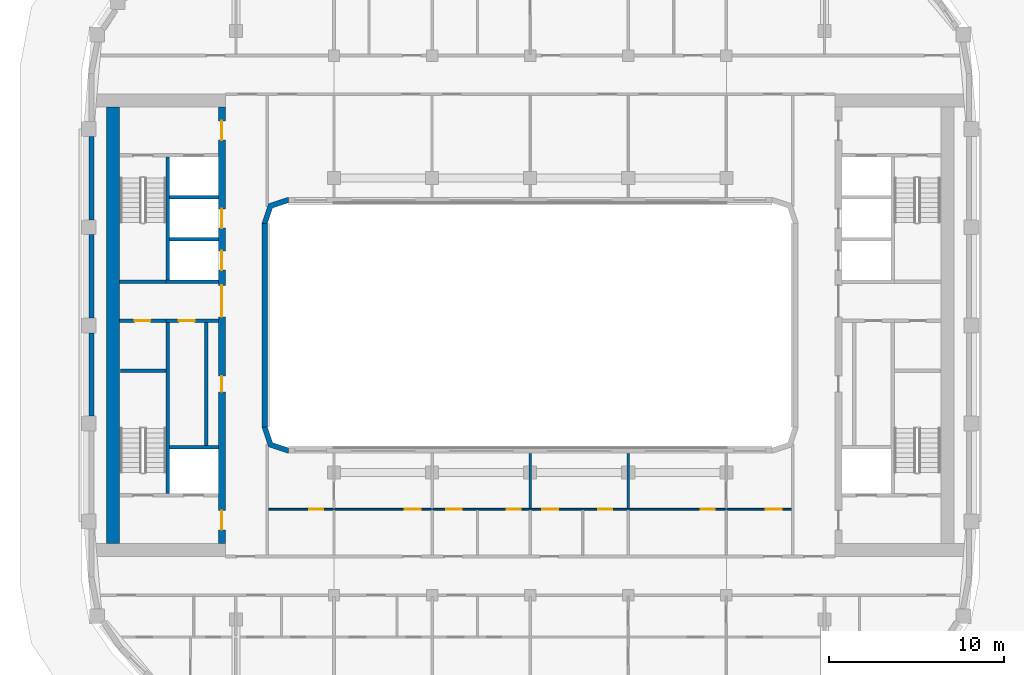
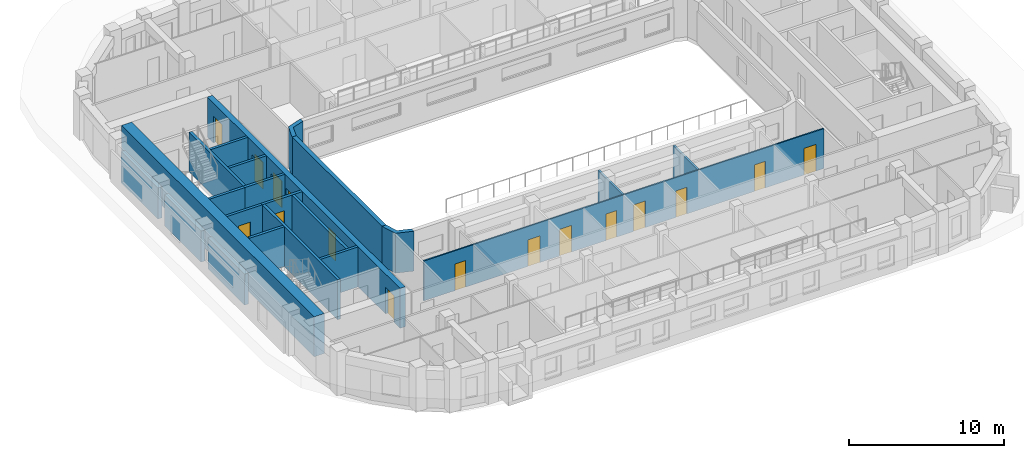
# One storey, part 4 of 16: 22 walls, 16 doors, 16 openings.
"""IFC4 building model written with IfcOpenShell, lengths in metres."""

import ifcopenshell
import ifcopenshell.guid

model = None  # the IFC model being written
_history = None  # IfcOwnerHistory: only IFC2X3 demands one
_inside = {}  # id of a spatial element -> (the spatial element, [elements in it])
_under = {}  # id of a project, library or spatial element -> (it, [spatial elements below it])
_declared = {}  # id of a project -> (the project, [libraries it declares])
_typed = {}  # id of a type object -> (the type object, [elements of that type])
_made_of = {}  # id of a material, layer set ... -> (it, [elements and type objects made of it])


def new_model(schema):
    """Start an empty IFC model of exactly this schema.

    Asked for "IFC4X3", IfcOpenShell would pick the latest addendum, in which some entities
    have other attributes; the version numbers below select the first issue.
    IFC2X3 requires an IfcOwnerHistory on every rooted entity: one is made here for all.
    """
    global model, _history
    if schema == "IFC4X3":
        model = ifcopenshell.file(schema_version=(4, 3, 0, 0))
    else:
        model = ifcopenshell.file(schema=schema)
    _inside.clear()
    _under.clear()
    _declared.clear()
    _typed.clear()
    _made_of.clear()
    _history = None
    if model.schema == "IFC2X3":
        org = make("IfcOrganization", Name="unknown")
        user = make(
            "IfcPersonAndOrganization",
            ThePerson=make("IfcPerson", FamilyName="unknown"),
            TheOrganization=org,
        )
        app = make(
            "IfcApplication",
            ApplicationDeveloper=org,
            Version="unknown",
            ApplicationFullName="unknown",
            ApplicationIdentifier="unknown",
        )
        _history = make(
            "IfcOwnerHistory",
            OwningUser=user,
            OwningApplication=app,
            ChangeAction="ADDED",
            CreationDate=0,
        )
    return model


def make(cls, **values):
    """One entity of the class cls with the attributes given. An attribute that is None is left unset."""
    return model.create_entity(
        cls, **{name: value for name, value in values.items() if value is not None}
    )


def rooted(cls, **values):
    """An entity with a GlobalId (a new one), such as an element, a storey or a relation."""
    return make(cls, GlobalId=ifcopenshell.guid.new(), OwnerHistory=_history, **values)


def si_unit(unit_type, name, prefix=None):
    """IfcSIUnit, for example si_unit("LENGTHUNIT", "METRE", prefix="MILLI")."""
    return make("IfcSIUnit", UnitType=unit_type, Prefix=prefix, Name=name)


def assignment(units):
    """IfcUnitAssignment: the units of a project."""
    return None if units is None else make("IfcUnitAssignment", Units=units)


def point(xyz):
    """IfcCartesianPoint."""
    return None if xyz is None else make("IfcCartesianPoint", Coordinates=xyz)


def direction(xyz):
    """IfcDirection."""
    return None if xyz is None else make("IfcDirection", DirectionRatios=xyz)


def frame(location, z_axis=None, x_axis=None):
    """IfcAxis2Placement3D, a coordinate frame: its origin and axes. An axis left out is left unset."""
    return make(
        "IfcAxis2Placement3D",
        Location=point(location),
        Axis=direction(z_axis),
        RefDirection=direction(x_axis),
    )


def frame_2d(location, x_axis=None):
    """IfcAxis2Placement2D, a coordinate frame in the plane: its origin and x axis."""
    return make(
        "IfcAxis2Placement2D", Location=point(location), RefDirection=direction(x_axis)
    )


def origin():
    """The frame at (0, 0, 0) with its axes left unset."""
    return frame((0.0, 0.0, 0.0))


def place(relative_to, where):
    """IfcLocalPlacement: puts the frame where relative to a parent placement (None: the world)."""
    return make(
        "IfcLocalPlacement", PlacementRelTo=relative_to, RelativePlacement=where
    )


def context(
    kind, dimensions, precision=None, world=None, true_north=None, identifier=None
):
    """IfcGeometricRepresentationContext, for example the 3D "Model" context."""
    return make(
        "IfcGeometricRepresentationContext",
        ContextIdentifier=identifier,
        ContextType=kind,
        CoordinateSpaceDimension=dimensions,
        Precision=precision,
        WorldCoordinateSystem=world,
        TrueNorth=true_north,
    )


def subcontext(parent, identifier, kind, view, scale=None):
    """IfcGeometricRepresentationSubContext, for example "Body" below "Model"."""
    return make(
        "IfcGeometricRepresentationSubContext",
        ContextIdentifier=identifier,
        ContextType=kind,
        ParentContext=parent,
        TargetScale=scale,
        TargetView=view,
    )


def project(units=None, contexts=None):
    """IfcProject with its units and contexts."""
    return rooted(
        "IfcProject",
        Name="project",
        RepresentationContexts=contexts,
        UnitsInContext=assignment(units),
    )


def spatial(cls, under=None, at=None, **own):
    """A site, building, storey or space (cls), placed at a placement, below another one or the project."""
    s = rooted(cls, ObjectPlacement=at, **own)
    if under is not None:
        _under.setdefault(under.id(), (under, []))[1].append(s)
    return s


def polyline(points):
    """IfcPolyline through the points."""
    return make("IfcPolyline", Points=[point(p) for p in points])


def profile(cls, at=None, kind="AREA", **sizes):
    """A parametric profile (cls). Its sizes go by their IFC names, for example OverallWidth=200.0."""
    return make(cls, ProfileType=kind, Position=at, **sizes)


def rectangle(**sizes):
    """IfcRectangleProfileDef."""
    return profile("IfcRectangleProfileDef", **sizes)


def outline(outer, holes=None, kind="AREA"):
    """IfcArbitraryClosedProfileDef: a profile drawn as a closed curve; with holes, ...WithVoids."""
    if holes is None:
        return make("IfcArbitraryClosedProfileDef", ProfileType=kind, OuterCurve=outer)
    return make(
        "IfcArbitraryProfileDefWithVoids",
        ProfileType=kind,
        OuterCurve=outer,
        InnerCurves=holes,
    )


def extrude(swept, where, along, depth):
    """IfcExtrudedAreaSolid: the profile swept, set in the frame where, extruded along a direction by depth."""
    return make(
        "IfcExtrudedAreaSolid",
        SweptArea=swept,
        Position=where,
        ExtrudedDirection=direction(along),
        Depth=depth,
    )


def shape(context_of_items, identifier, shape_type, items):
    """IfcShapeRepresentation: the items that make up one representation, for example the "Body"."""
    return make(
        "IfcShapeRepresentation",
        ContextOfItems=context_of_items,
        RepresentationIdentifier=identifier,
        RepresentationType=shape_type,
        Items=items,
    )


def material(Name=None, Category=None):
    """IfcMaterial."""
    return make("IfcMaterial", Name=Name, Category=Category)


def layer(
    of_material, thickness, ventilated=None, Name=None, Category=None, Priority=None
):
    """IfcMaterialLayer: one layer of a wall or slab, of a material (None: an air gap)."""
    return make(
        "IfcMaterialLayer",
        Material=of_material,
        LayerThickness=thickness,
        IsVentilated=ventilated,
        Name=Name,
        Category=Category,
        Priority=Priority,
    )


def layer_set(layers, Name=None):
    """IfcMaterialLayerSet."""
    return make("IfcMaterialLayerSet", MaterialLayers=layers, LayerSetName=Name)


def made_of(thing, what):
    """Note that an element or type object is made of a material, layer set ...; save() writes the relation."""
    if what is not None:
        _made_of.setdefault(what.id(), (what, []))[1].append(thing)
    return thing


def type_object(cls, material=None, **own):
    """A type object (cls), such as IfcWallType, which elements share."""
    return made_of(rooted(cls, **own), material)


def element(
    cls,
    number,
    at=None,
    inside=None,
    cuts=None,
    type_object=None,
    material=None,
    context=None,
    identifier="Body",
    shape_type=None,
    held_by="IfcProductDefinitionShape",
    body=None,
    shapes=None,
    **own,
):
    """One element of the class cls, such as IfcWall. Its Tag is "e" and its number.

    at: its placement. inside: the storey or other place that contains it. cuts: it is an
    opening in that element (IfcRelVoidsElement). A single representation is given by context,
    identifier, shape_type and body (its items); several are given by shapes. held_by: the class
    of the entity that holds the representations. save() writes the other relations.
    """
    e = rooted(cls, Tag="e%d" % number, ObjectPlacement=at, **own)
    if body is not None:
        shapes = [shape(context, identifier, shape_type, body)]
    if shapes is not None:
        e.Representation = make(held_by, Representations=shapes)
    if inside is not None:
        _inside.setdefault(inside.id(), (inside, []))[1].append(e)
    if cuts is not None:
        rooted(
            "IfcRelVoidsElement", RelatingBuildingElement=cuts, RelatedOpeningElement=e
        )
    if type_object is not None:
        _typed.setdefault(type_object.id(), (type_object, []))[1].append(e)
    return made_of(e, material)


def fill(opening, filler):
    """IfcRelFillsElement: the door or window that sits in an opening."""
    return rooted(
        "IfcRelFillsElement",
        RelatingOpeningElement=opening,
        RelatedBuildingElement=filler,
    )


def aggregate(whole, parts):
    """IfcRelAggregates: a whole, such as a stair, and the parts it consists of."""
    return rooted("IfcRelAggregates", RelatingObject=whole, RelatedObjects=parts)


def save(model, path):
    """Write the relations noted so far, then the file.

    IfcRelAggregates (storeys below a building ...), IfcRelContainedInSpatialStructure (elements
    in a storey), IfcRelDefinesByType, IfcRelAssociatesMaterial and IfcRelDeclares: one each for
    every whole, place, type object, material and project.
    """
    for whole, parts in _under.values():
        aggregate(whole, parts)
    for where, things in _inside.values():
        rooted(
            "IfcRelContainedInSpatialStructure",
            RelatedElements=things,
            RelatingStructure=where,
        )
    for kind, things in _typed.values():
        rooted("IfcRelDefinesByType", RelatedObjects=things, RelatingType=kind)
    for what, things in _made_of.values():
        rooted("IfcRelAssociatesMaterial", RelatedObjects=things, RelatingMaterial=what)
    for by, libraries in _declared.values():
        rooted("IfcRelDeclares", RelatingContext=by, RelatedDefinitions=libraries)
    model.write(path)


model = new_model("IFC4")

# Units and contexts
model_context = context("Model", 3, precision=1e-05, world=origin(), true_north=direction((0.0, 1.0)))
body_context = subcontext(model_context, "Body", "Model", "MODEL_VIEW")
ifc_project = project(units=[si_unit("LENGTHUNIT", "METRE"), si_unit("AREAUNIT", "SQUARE_METRE"), si_unit("VOLUMEUNIT", "CUBIC_METRE"), si_unit("PLANEANGLEUNIT", "RADIAN"), si_unit("MASSUNIT", "GRAM", prefix="KILO")], contexts=[model_context])

# Site, building, storey
site_placement = place(None, origin())
site = spatial("IfcSite", under=ifc_project, at=site_placement, CompositionType="ELEMENT")
building_placement = place(site_placement, origin())
building = spatial("IfcBuilding", under=site, at=building_placement, Name="Kiln Ring Residences", CompositionType="ELEMENT")
storey_placement = place(building_placement, frame((0.0, 0.0, 227.39990234375)))
storey = spatial("IfcBuildingStorey", under=building, at=storey_placement, Name="L59", CompositionType="ELEMENT", Elevation=227.39990234375)

# Wall, opening, door
ifc_material_1 = material(Name="Gypsum board on steel studs", Category="steel")
ifc_layer_1 = layer(ifc_material_1, 0.199951171875)
ifc_layer_set_1 = layer_set([ifc_layer_1], Name="CORE-PARTITION-200")
wall_type_1 = type_object("IfcWallType", Name="CORE-PARTITION-200", PredefinedType="PARTITIONING", material=ifc_layer_set_1)
wall_1_placement = place(storey_placement, frame((-20.800048828125, 0.25, 0.0), z_axis=(0.0, 0.0, 1.0), x_axis=(-1.0, 0.0, 0.0)))
wall_1 = element("IfcWall", 1, at=wall_1_placement, inside=storey, type_object=wall_type_1, Name="Core partition west L59 1", PredefinedType="PARTITIONING", context=body_context, shape_type="SweptSolid", body=[
    extrude(rectangle(XDim=2.64990234375, YDim=0.199951171875, at=frame_2d((1.324951171875, 0.0))), origin(), (0.0, 0.0, 1.0), 3.150146484375),
])
opening_1_placement = place(wall_1_placement, frame((0.875, 0.0, 0.0)))
opening_1 = element("IfcOpeningElement", 2, at=opening_1_placement, cuts=wall_1, Name="Opening L59-CW12", PredefinedType="OPENING", context=body_context, shape_type="SweptSolid", body=[
    extrude(rectangle(XDim=0.89990234375, YDim=2.10009765625, at=frame_2d((0.449951171875, 1.050048828125))), frame((0.0, 0.10986328125, 0.0), z_axis=(0.0, -1.0, 0.0), x_axis=(1.0, 0.0, 0.0)), (0.0, 0.0, 1.0), 0.219970703125),
])
ifc_material_2 = material(Name="Steel door leaf", Category="steel")
door_type_1 = type_object("IfcDoorType", Name="CORE-DOOR-ROOM", OperationType="SINGLE_SWING_LEFT", PredefinedType="DOOR", material=ifc_material_2)
door_1_placement = place(opening_1_placement, origin())
door_1 = element("IfcDoor", 3, at=door_1_placement, inside=storey, type_object=door_type_1, Name="Housekeeping store L59-CW12", OperationType="SINGLE_SWING_RIGHT", OverallHeight=2.10009765625, OverallWidth=0.89990234375, PredefinedType="DOOR", context=body_context, shape_type="SweptSolid", body=[
    extrude(rectangle(XDim=0.89990234375, YDim=2.10009765625, at=frame_2d((0.449951171875, 1.050048828125))), frame((0.0, 0.02490234375, 0.0), z_axis=(0.0, -1.0, 0.0), x_axis=(1.0, 0.0, 0.0)), (0.0, 0.0, 1.0), 0.050048828125),
])
fill(opening_1, door_1)

# Walls
wall_2_placement = place(storey_placement, frame((-18.5, -6.85009765625, 0.0), z_axis=(0.0, 0.0, 1.0), x_axis=(0.0, 1.0, 0.0)))
element("IfcWall", 4, at=wall_2_placement, inside=storey, type_object=wall_type_1, Name="Core partition west L59 2", PredefinedType="PARTITIONING", context=body_context, shape_type="SweptSolid", body=[
    extrude(rectangle(XDim=7.0, YDim=0.199951171875, at=frame_2d((3.5, 0.0))), origin(), (0.0, 0.0, 1.0), 3.150146484375),
])
ifc_material_3 = material(Name="Gypsum shaft wall system")
ifc_layer_2 = layer(ifc_material_3, 0.199951171875)
ifc_layer_set_2 = layer_set([ifc_layer_2], Name="CORE-SHAFT-WALL-200")
wall_type_2 = type_object("IfcWallType", Name="CORE-SHAFT-WALL-200", PredefinedType="PARTITIONING", material=ifc_layer_set_2)
wall_3_placement = place(storey_placement, frame((-17.800048828125, -6.949951171875, 0.0), z_axis=(0.0, 0.0, 1.0), x_axis=(-1.0, 0.0, 0.0)))
element("IfcWall", 5, at=wall_3_placement, inside=storey, type_object=wall_type_2, Name="Core partition west L59 3", PredefinedType="PARTITIONING", context=body_context, shape_type="SweptSolid", body=[
    extrude(rectangle(XDim=2.800048828125, YDim=0.199951171875, at=frame_2d((1.39990234375, 0.0))), origin(), (0.0, 0.0, 1.0), 3.150146484375),
])

# Wall, opening, door
wall_4_placement = place(storey_placement, frame((-17.800048828125, 0.25, 0.0), z_axis=(0.0, 0.0, 1.0), x_axis=(-1.0, 0.0, 0.0)))
wall_4 = element("IfcWall", 6, at=wall_4_placement, inside=storey, type_object=wall_type_2, Name="Core partition west L59 4", PredefinedType="PARTITIONING", context=body_context, shape_type="SweptSolid", body=[
    extrude(rectangle(XDim=3.0, YDim=0.199951171875, at=frame_2d((1.5, 0.0))), origin(), (0.0, 0.0, 1.0), 3.150146484375),
])
opening_2_placement = place(wall_4_placement, frame((1.35009765625, 0.0, 0.0)))
opening_2 = element("IfcOpeningElement", 7, at=opening_2_placement, cuts=wall_4, Name="Opening L59-CW03", PredefinedType="OPENING", context=body_context, shape_type="SweptSolid", body=[
    extrude(rectangle(XDim=0.89990234375, YDim=2.10009765625, at=frame_2d((0.449951171875, 1.050048828125))), frame((0.0, 0.10986328125, 0.0), z_axis=(0.0, -1.0, 0.0), x_axis=(1.0, 0.0, 0.0)), (0.0, 0.0, 1.0), 0.219970703125),
])
door_2_placement = place(opening_2_placement, origin())
door_2 = element("IfcDoor", 8, at=door_2_placement, inside=storey, type_object=door_type_1, Name="Goods store L59-CW03", OperationType="SINGLE_SWING_LEFT", OverallHeight=2.10009765625, OverallWidth=0.89990234375, PredefinedType="DOOR", context=body_context, shape_type="SweptSolid", body=[
    extrude(rectangle(XDim=0.89990234375, YDim=2.10009765625, at=frame_2d((0.449951171875, 1.050048828125))), frame((0.0, 0.02490234375, 0.0), z_axis=(0.0, -1.0, 0.0), x_axis=(1.0, 0.0, 0.0)), (0.0, 0.0, 1.0), 0.050048828125),
])
fill(opening_2, door_2)

# Walls
wall_5_placement = place(storey_placement, frame((-17.800048828125, 2.5, 0.0), z_axis=(0.0, 0.0, 1.0), x_axis=(-1.0, 0.0, 0.0)))
element("IfcWall", 9, at=wall_5_placement, inside=storey, type_object=wall_type_2, Name="Core partition west L59 5", PredefinedType="PARTITIONING", context=body_context, shape_type="SweptSolid", body=[
    extrude(rectangle(XDim=3.0, YDim=0.199951171875, at=frame_2d((1.5, 0.0))), origin(), (0.0, 0.0, 1.0), 3.150146484375),
])
for number, where, z_axis, x_axis, name in (
    (10, (-17.800048828125, 4.89990234375, 0.0), (0.0, 0.0, 1.0), (-1.0, 0.0, 0.0), "Core partition west L59 6"),
    (11, (-17.800048828125, 7.300048828125, 0.0), (0.0, 0.0, 1.0), (-1.0, 0.0, 0.0), "Core partition west L59 7"),
):
    element("IfcWall", number, at=place(storey_placement, frame(where, z_axis=z_axis, x_axis=x_axis)), inside=storey, type_object=wall_type_2, Name=name, PredefinedType="PARTITIONING", context=body_context, shape_type="SweptSolid", body=[
        extrude(rectangle(XDim=2.800048828125, YDim=0.199951171875, at=frame_2d((1.39990234375, 0.0))), origin(), (0.0, 0.0, 1.0), 3.150146484375),
    ])
ifc_material_4 = material(Name="Concrete C40/50", Category="concrete")
ifc_layer_3 = layer(ifc_material_4, 0.199951171875)
ifc_layer_set_3 = layer_set([ifc_layer_3], Name="CORE-WALL-RC200")
wall_type_3 = type_object("IfcWallType", Name="CORE-WALL-RC200", PredefinedType="SHEAR", material=ifc_layer_set_3)
wall_6_placement = place(storey_placement, frame((-20.699951171875, 2.60009765625, 0.0), z_axis=(0.0, 0.0, 1.0), x_axis=(0.0, 1.0, 0.0)))
element("IfcWall", 12, at=wall_6_placement, inside=storey, type_object=wall_type_3, Name="Core wall west L59 1", PredefinedType="SHEAR", context=body_context, shape_type="SweptSolid", body=[
    extrude(rectangle(XDim=7.0, YDim=0.199951171875, at=frame_2d((3.5, 0.0))), origin(), (0.0, 0.0, 1.0), 3.150146484375),
])
wall_7_placement = place(storey_placement, frame((-20.699951171875, -9.60009765625, 0.0), z_axis=(0.0, 0.0, 1.0), x_axis=(0.0, 1.0, 0.0)))
element("IfcWall", 13, at=wall_7_placement, inside=storey, type_object=wall_type_3, Name="Core wall west L59 2", PredefinedType="SHEAR", context=body_context, shape_type="SweptSolid", body=[
    extrude(rectangle(XDim=9.75, YDim=0.199951171875, at=frame_2d((4.875, 0.0))), origin(), (0.0, 0.0, 1.0), 3.150146484375),
])
wall_8_placement = place(storey_placement, frame((-20.800048828125, 2.5, 0.0), z_axis=(0.0, 0.0, 1.0), x_axis=(-1.0, 0.0, 0.0)))
element("IfcWall", 14, at=wall_8_placement, inside=storey, type_object=wall_type_3, Name="Core wall west L59 3", PredefinedType="SHEAR", context=body_context, shape_type="SweptSolid", body=[
    extrude(rectangle(XDim=2.64990234375, YDim=0.199951171875, at=frame_2d((1.324951171875, 0.0))), origin(), (0.0, 0.0, 1.0), 3.150146484375),
])
wall_9_placement = place(storey_placement, frame((-20.800048828125, -2.60009765625, 0.0), z_axis=(0.0, 0.0, 1.0), x_axis=(-1.0, 0.0, 0.0)))
element("IfcWall", 15, at=wall_9_placement, inside=storey, type_object=wall_type_3, Name="Core wall west L59 10", PredefinedType="SHEAR", context=body_context, shape_type="SweptSolid", body=[
    extrude(rectangle(XDim=2.599853515625, YDim=0.199951171875, at=frame_2d((1.2998046875, 0.0))), origin(), (0.0, 0.0, 1.0), 3.150146484375),
])

# Wall, openings, doors
ifc_material_5 = material(Name="Concrete C60/75", Category="concrete")
ifc_layer_4 = layer(ifc_material_5, 0.39990234375)
ifc_layer_set_4 = layer_set([ifc_layer_4], Name="CORE-WALL-RC400")
wall_type_4 = type_object("IfcWallType", Name="CORE-WALL-RC400", PredefinedType="SHEAR", material=ifc_layer_set_4)
wall_10_placement = place(storey_placement, frame((-17.60009765625, -12.449951171875, 0.0), z_axis=(0.0, 0.0, 1.0), x_axis=(0.0, 1.0, 0.0)))
wall_10 = element("IfcWall", 16, at=wall_10_placement, inside=storey, type_object=wall_type_4, Name="Core wall west L59 6", PredefinedType="SHEAR", context=body_context, shape_type="SweptSolid", body=[
    extrude(rectangle(XDim=24.89990234375, YDim=0.39990234375, at=frame_2d((12.449951171875, 0.0))), origin(), (0.0, 0.0, 1.0), 3.150146484375),
])
opening_3_placement = place(wall_10_placement, frame((8.64990234375, 0.0, 0.0)))
opening_3 = element("IfcOpeningElement", 17, at=opening_3_placement, cuts=wall_10, Name="Opening L59-CW02", PredefinedType="OPENING", context=body_context, shape_type="SweptSolid", body=[
    extrude(rectangle(XDim=0.89990234375, YDim=2.10009765625, at=frame_2d((0.449951171875, 1.050048828125))), frame((0.0, 0.2099609375, 0.0), z_axis=(0.0, -1.0, 0.0), x_axis=(1.0, 0.0, 0.0)), (0.0, 0.0, 1.0), 0.419921875),
])
opening_4_placement = place(wall_10_placement, frame((15.60009765625, 0.0, 0.0)))
opening_4 = element("IfcOpeningElement", 18, at=opening_4_placement, cuts=wall_10, Name="Opening L59-CW04", PredefinedType="OPENING", context=body_context, shape_type="SweptSolid", body=[
    extrude(rectangle(XDim=1.10009765625, YDim=2.10009765625, at=frame_2d((0.550048828125, 1.050048828125))), frame((0.0, 0.2099609375, 0.0), z_axis=(0.0, -1.0, 0.0), x_axis=(1.0, 0.0, 0.0)), (0.0, 0.0, 1.0), 0.419921875),
])
opening_5_placement = place(wall_10_placement, frame((18.0, 0.0, 0.0)))
opening_5 = element("IfcOpeningElement", 19, at=opening_5_placement, cuts=wall_10, Name="Opening L59-CW05", PredefinedType="OPENING", context=body_context, shape_type="SweptSolid", body=[
    extrude(rectangle(XDim=1.10009765625, YDim=2.10009765625, at=frame_2d((0.550048828125, 1.050048828125))), frame((0.0, 0.2099609375, 0.0), z_axis=(0.0, -1.0, 0.0), x_axis=(1.0, 0.0, 0.0)), (0.0, 0.0, 1.0), 0.419921875),
])
opening_6_placement = place(wall_10_placement, frame((23.02490234375, 0.0, 0.0)))
opening_6 = element("IfcOpeningElement", 20, at=opening_6_placement, cuts=wall_10, Name="Opening L59-CW07", PredefinedType="OPENING", context=body_context, shape_type="SweptSolid", body=[
    extrude(rectangle(XDim=1.10009765625, YDim=2.10009765625, at=frame_2d((0.550048828125, 1.050048828125))), frame((0.0, 0.2099609375, 0.0), z_axis=(0.0, -1.0, 0.0), x_axis=(1.0, 0.0, 0.0)), (0.0, 0.0, 1.0), 0.419921875),
])
opening_7_placement = place(wall_10_placement, frame((0.77490234375, 0.0, 0.0)))
opening_7 = element("IfcOpeningElement", 21, at=opening_7_placement, cuts=wall_10, Name="Opening L59-CW08", PredefinedType="OPENING", context=body_context, shape_type="SweptSolid", body=[
    extrude(rectangle(XDim=1.10009765625, YDim=2.10009765625, at=frame_2d((0.550048828125, 1.050048828125))), frame((0.0, 0.2099609375, 0.0), z_axis=(0.0, -1.0, 0.0), x_axis=(1.0, 0.0, 0.0)), (0.0, 0.0, 1.0), 0.419921875),
])
opening_8_placement = place(wall_10_placement, frame((12.925048828125, 0.0, 0.0)))
opening_8 = element("IfcOpeningElement", 22, at=opening_8_placement, cuts=wall_10, Name="Opening L59-CW11", PredefinedType="OPENING", context=body_context, shape_type="SweptSolid", body=[
    extrude(rectangle(XDim=1.800048828125, YDim=2.10009765625, at=frame_2d((0.89990234375, 1.050048828125))), frame((0.0, 0.2099609375, 0.0), z_axis=(0.0, -1.0, 0.0), x_axis=(1.0, 0.0, 0.0)), (0.0, 0.0, 1.0), 0.419921875),
])
ifc_material_6 = material(Name="Steel door leaf", Category="steel")
door_type_2 = type_object("IfcDoorType", Name="CORE-DOOR-LD", OperationType="DOUBLE_DOOR_SLIDING", PredefinedType="DOOR", material=ifc_material_6)
door_3_placement = place(opening_4_placement, origin())
door_3 = element("IfcDoor", 23, at=door_3_placement, inside=storey, type_object=door_type_2, Name="LD W-M1 L59-CW04", OperationType="DOUBLE_DOOR_SLIDING", OverallHeight=2.10009765625, OverallWidth=1.10009765625, PredefinedType="DOOR", context=body_context, shape_type="SweptSolid", body=[
    extrude(rectangle(XDim=1.10009765625, YDim=2.10009765625, at=frame_2d((0.550048828125, 1.050048828125))), frame((0.0, 0.02490234375, 0.0), z_axis=(0.0, -1.0, 0.0), x_axis=(1.0, 0.0, 0.0)), (0.0, 0.0, 1.0), 0.050048828125),
])
fill(opening_4, door_3)
door_4_placement = place(opening_5_placement, origin())
door_4 = element("IfcDoor", 24, at=door_4_placement, inside=storey, type_object=door_type_2, Name="LD W-M2 L59-CW05", OperationType="DOUBLE_DOOR_SLIDING", OverallHeight=2.10009765625, OverallWidth=1.10009765625, PredefinedType="DOOR", context=body_context, shape_type="SweptSolid", body=[
    extrude(rectangle(XDim=1.10009765625, YDim=2.10009765625, at=frame_2d((0.550048828125, 1.050048828125))), frame((0.0, 0.02490234375, 0.0), z_axis=(0.0, -1.0, 0.0), x_axis=(1.0, 0.0, 0.0)), (0.0, 0.0, 1.0), 0.050048828125),
])
fill(opening_5, door_4)
ifc_material_7 = material(Name="Steel door leaf", Category="steel")
door_type_3 = type_object("IfcDoorType", Name="CORE-DOOR-LOBBY", OperationType="SINGLE_SWING_LEFT", PredefinedType="DOOR", material=ifc_material_7)
door_5_placement = place(opening_6_placement, origin())
door_5 = element("IfcDoor", 25, at=door_5_placement, inside=storey, type_object=door_type_3, Name="FFL L59-CW07", OperationType="SINGLE_SWING_RIGHT", OverallHeight=2.10009765625, OverallWidth=1.10009765625, PredefinedType="DOOR", context=body_context, shape_type="SweptSolid", body=[
    extrude(rectangle(XDim=1.10009765625, YDim=2.10009765625, at=frame_2d((0.550048828125, 1.050048828125))), frame((0.0, 0.02490234375, 0.0), z_axis=(0.0, -1.0, 0.0), x_axis=(1.0, 0.0, 0.0)), (0.0, 0.0, 1.0), 0.050048828125),
])
fill(opening_6, door_5)
door_6_placement = place(opening_7_placement, origin())
door_6 = element("IfcDoor", 26, at=door_6_placement, inside=storey, type_object=door_type_3, Name="SVL L59-CW08", OperationType="SINGLE_SWING_LEFT", OverallHeight=2.10009765625, OverallWidth=1.10009765625, PredefinedType="DOOR", context=body_context, shape_type="SweptSolid", body=[
    extrude(rectangle(XDim=1.10009765625, YDim=2.10009765625, at=frame_2d((0.550048828125, 1.050048828125))), frame((0.0, 0.02490234375, 0.0), z_axis=(0.0, -1.0, 0.0), x_axis=(1.0, 0.0, 0.0)), (0.0, 0.0, 1.0), 0.050048828125),
])
fill(opening_7, door_6)
ifc_material_8 = material(Name="Steel door leaf", Category="steel")
door_type_4 = type_object("IfcDoorType", Name="CORE-DOOR-PASS", OperationType="DOUBLE_DOOR_SINGLE_SWING", PredefinedType="DOOR", material=ifc_material_8)
door_7_placement = place(opening_8_placement, origin())
door_7 = element("IfcDoor", 27, at=door_7_placement, inside=storey, type_object=door_type_4, Name="Core passage L59-CW11", OperationType="DOUBLE_DOOR_SINGLE_SWING", OverallHeight=2.10009765625, OverallWidth=1.800048828125, PredefinedType="DOOR", context=body_context, shape_type="SweptSolid", body=[
    extrude(rectangle(XDim=1.800048828125, YDim=2.10009765625, at=frame_2d((0.89990234375, 1.050048828125))), frame((0.0, 0.02490234375, 0.0), z_axis=(0.0, -1.0, 0.0), x_axis=(1.0, 0.0, 0.0)), (0.0, 0.0, 1.0), 0.050048828125),
])
fill(opening_8, door_7)
door_8_placement = place(opening_3_placement, origin())
door_8 = element("IfcDoor", 28, at=door_8_placement, inside=storey, type_object=door_type_1, Name="Cleaner's store L59-CW02", OperationType="SINGLE_SWING_RIGHT", OverallHeight=2.10009765625, OverallWidth=0.89990234375, PredefinedType="DOOR", context=body_context, shape_type="SweptSolid", body=[
    extrude(rectangle(XDim=0.89990234375, YDim=2.10009765625, at=frame_2d((0.449951171875, 1.050048828125))), frame((0.0, 0.02490234375, 0.0), z_axis=(0.0, -1.0, 0.0), x_axis=(1.0, 0.0, 0.0)), (0.0, 0.0, 1.0), 0.050048828125),
])
fill(opening_3, door_8)

# Walls
ifc_material_9 = material(Name="Concrete C60/75", Category="concrete")
ifc_layer_5 = layer(ifc_material_9, 0.75)
ifc_layer_set_5 = layer_set([ifc_layer_5], Name="CORE-WALL-RC750")
wall_type_5 = type_object("IfcWallType", Name="CORE-WALL-RC750", PredefinedType="SHEAR", material=ifc_layer_set_5)
wall_11_placement = place(storey_placement, frame((-23.824951171875, -12.449951171875, 0.0), z_axis=(0.0, 0.0, 1.0), x_axis=(0.0, 1.0, 0.0)))
element("IfcWall", 29, at=wall_11_placement, inside=storey, type_object=wall_type_5, Name="Core wall west L59 7", PredefinedType="SHEAR", context=body_context, shape_type="SweptSolid", body=[
    extrude(rectangle(XDim=24.89990234375, YDim=0.75, at=frame_2d((12.449951171875, 0.0))), origin(), (0.0, 0.0, 1.0), 3.150146484375),
])
ifc_material_10 = material(Name="Brick masonry, dark clay brick", Category="masonry")
ifc_layer_6 = layer(ifc_material_10, 0.300048828125)
ifc_layer_set_6 = layer_set([ifc_layer_6], Name="EW-300 BRICK WALL")
wall_type_6 = type_object("IfcWallType", Name="EW-300 BRICK WALL", PredefinedType="SOLIDWALL", material=ifc_layer_set_6)
for number, where, z_axis, x_axis, name in (
    (30, (-25.050048828125, 10.77490234375, 0.0), (0.0, 0.0, 1.0), (0.0, -1.0, 0.0), "Facade wall L59 40"),
    (31, (-25.050048828125, 5.175048828125, 0.0), (0.0, 0.0, 1.0), (0.0, -1.0, 0.0), "Facade wall L59 41"),
    (32, (-25.050048828125, -0.425048828125, 0.0), (0.0, 0.0, 1.0), (0.0, -1.0, 0.0), "Facade wall L59 42"),
):
    element("IfcWall", number, at=place(storey_placement, frame(where, z_axis=z_axis, x_axis=x_axis)), inside=storey, type_object=wall_type_6, Name=name, PredefinedType="SOLIDWALL", context=body_context, shape_type="SweptSolid", body=[
        extrude(rectangle(XDim=4.75, YDim=0.300048828125, at=frame_2d((2.375, 0.0))), origin(), (0.0, 0.0, 1.0), 2.4501953125),
    ])
wall_12_placement = place(storey_placement, frame((-15.14990234375, -5.800048828125, 0.0), z_axis=(0.0, 0.0, 1.0), x_axis=(0.0, 1.0, 0.0)))
element("IfcWall", 33, at=wall_12_placement, inside=storey, type_object=wall_type_6, Name="Facade wall L59 47", PredefinedType="SOLIDWALL", context=body_context, shape_type="SweptSolid", body=[
    extrude(rectangle(XDim=11.60009765625, YDim=0.300048828125, at=frame_2d((5.800048828125, 0.0))), origin(), (0.0, 0.0, 1.0), 3.150146484375),
])
placement = place(storey_placement, origin())
element("IfcWall", 34, at=placement, inside=storey, type_object=wall_type_6, Name="Corner wall L59 1", PredefinedType="SOLIDWALL", context=body_context, shape_type="SweptSolid", body=[
    extrude(outline(polyline([(-13.8486328125, 7.300048828125), (-14.937255859375, 6.937255859375), (-15.300048828125, 5.8486328125), (-15.300048828125, 5.800048828125), (-15.0, 5.800048828125), (-14.699951171875, 6.699951171875), (-13.800048828125, 7.0), (-13.800048828125, 7.300048828125), (-13.8486328125, 7.300048828125)])), origin(), (0.0, 0.0, 1.0), 3.150146484375),
])
element("IfcWall", 35, at=placement, inside=storey, type_object=wall_type_6, Name="Corner wall L59 4", PredefinedType="SOLIDWALL", context=body_context, shape_type="SweptSolid", body=[
    extrude(outline(polyline([(-14.937255859375, -6.937255859375), (-13.8486328125, -7.300048828125), (-13.800048828125, -7.300048828125), (-13.800048828125, -7.0), (-14.699951171875, -6.699951171875), (-15.0, -5.800048828125), (-15.300048828125, -5.800048828125), (-15.300048828125, -5.8486328125), (-14.937255859375, -6.937255859375)])), origin(), (0.0, 0.0, 1.0), 3.150146484375),
])

# Wall, openings, doors
ifc_material_11 = material(Name="Gypsum board on steel studs", Category="steel")
ifc_layer_7 = layer(ifc_material_11, 0.10009765625)
ifc_layer_set_7 = layer_set([ifc_layer_7], Name="PARTITION-100")
wall_type_7 = type_object("IfcWallType", Name="PARTITION-100", PredefinedType="PARTITIONING", material=ifc_layer_set_7)
wall_15_placement = place(storey_placement, frame((-14.925048828125, -10.5, 0.0), z_axis=(0.0, 0.0, 1.0), x_axis=(1.0, 0.0, 0.0)))
wall_15 = element("IfcWall", 36, at=wall_15_placement, inside=storey, type_object=wall_type_7, Name="Partition 003", PredefinedType="PARTITIONING", context=body_context, shape_type="SweptSolid", body=[
    extrude(rectangle(XDim=29.85009765625, YDim=0.10009765625, at=frame_2d((14.925048828125, 0.0))), origin(), (0.0, 0.0, 1.0), 3.150146484375),
])
opening_9_placement = place(wall_15_placement, frame((2.324951171875, 0.0, 0.0)))
opening_9 = element("IfcOpeningElement", 37, at=opening_9_placement, cuts=wall_15, Name="Opening L59-D032", PredefinedType="OPENING", context=body_context, shape_type="SweptSolid", body=[
    extrude(rectangle(XDim=0.800048828125, YDim=2.10009765625, at=frame_2d((0.39990234375, 1.050048828125))), frame((0.0, 0.06005859375, 0.0), z_axis=(0.0, -1.0, 0.0), x_axis=(1.0, 0.0, 0.0)), (0.0, 0.0, 1.0), 0.1201171875),
])
opening_10_placement = place(wall_15_placement, frame((7.77490234375, 0.0, 0.0)))
opening_10 = element("IfcOpeningElement", 38, at=opening_10_placement, cuts=wall_15, Name="Opening L59-D033", PredefinedType="OPENING", context=body_context, shape_type="SweptSolid", body=[
    extrude(rectangle(XDim=0.89990234375, YDim=2.10009765625, at=frame_2d((0.449951171875, 1.050048828125))), frame((0.0, 0.06005859375, 0.0), z_axis=(0.0, -1.0, 0.0), x_axis=(1.0, 0.0, 0.0)), (0.0, 0.0, 1.0), 0.1201171875),
])
opening_11_placement = place(wall_15_placement, frame((13.574951171875, 0.0, 0.0)))
opening_11 = element("IfcOpeningElement", 39, at=opening_11_placement, cuts=wall_15, Name="Opening L59-D036", PredefinedType="OPENING", context=body_context, shape_type="SweptSolid", body=[
    extrude(rectangle(XDim=0.800048828125, YDim=2.10009765625, at=frame_2d((0.39990234375, 1.050048828125))), frame((0.0, 0.06005859375, 0.0), z_axis=(0.0, -1.0, 0.0), x_axis=(1.0, 0.0, 0.0)), (0.0, 0.0, 1.0), 0.1201171875),
])
opening_12_placement = place(wall_15_placement, frame((10.125, 0.0, 0.0)))
opening_12 = element("IfcOpeningElement", 40, at=opening_12_placement, cuts=wall_15, Name="Opening L59-D037", PredefinedType="OPENING", context=body_context, shape_type="SweptSolid", body=[
    extrude(rectangle(XDim=0.89990234375, YDim=2.10009765625, at=frame_2d((0.449951171875, 1.050048828125))), frame((0.0, 0.06005859375, 0.0), z_axis=(0.0, -1.0, 0.0), x_axis=(1.0, 0.0, 0.0)), (0.0, 0.0, 1.0), 0.1201171875),
])
opening_13_placement = place(wall_15_placement, frame((18.824951171875, 0.0, 0.0)))
opening_13 = element("IfcOpeningElement", 41, at=opening_13_placement, cuts=wall_15, Name="Opening L59-D039", PredefinedType="OPENING", context=body_context, shape_type="SweptSolid", body=[
    extrude(rectangle(XDim=0.800048828125, YDim=2.10009765625, at=frame_2d((0.39990234375, 1.050048828125))), frame((0.0, 0.06005859375, 0.0), z_axis=(0.0, -1.0, 0.0), x_axis=(1.0, 0.0, 0.0)), (0.0, 0.0, 1.0), 0.1201171875),
])
opening_14_placement = place(wall_15_placement, frame((15.625, 0.0, 0.0)))
opening_14 = element("IfcOpeningElement", 42, at=opening_14_placement, cuts=wall_15, Name="Opening L59-D040", PredefinedType="OPENING", context=body_context, shape_type="SweptSolid", body=[
    extrude(rectangle(XDim=0.89990234375, YDim=2.10009765625, at=frame_2d((0.449951171875, 1.050048828125))), frame((0.0, 0.06005859375, 0.0), z_axis=(0.0, -1.0, 0.0), x_axis=(1.0, 0.0, 0.0)), (0.0, 0.0, 1.0), 0.1201171875),
])
opening_15_placement = place(wall_15_placement, frame((24.675048828125, 0.0, 0.0)))
opening_15 = element("IfcOpeningElement", 43, at=opening_15_placement, cuts=wall_15, Name="Opening L59-D042", PredefinedType="OPENING", context=body_context, shape_type="SweptSolid", body=[
    extrude(rectangle(XDim=0.800048828125, YDim=2.10009765625, at=frame_2d((0.39990234375, 1.050048828125))), frame((0.0, 0.06005859375, 0.0), z_axis=(0.0, -1.0, 0.0), x_axis=(1.0, 0.0, 0.0)), (0.0, 0.0, 1.0), 0.1201171875),
])
opening_16_placement = place(wall_15_placement, frame((28.375, 0.0, 0.0)))
opening_16 = element("IfcOpeningElement", 44, at=opening_16_placement, cuts=wall_15, Name="Opening L59-D043", PredefinedType="OPENING", context=body_context, shape_type="SweptSolid", body=[
    extrude(rectangle(XDim=0.89990234375, YDim=2.10009765625, at=frame_2d((0.449951171875, 1.050048828125))), frame((0.0, 0.06005859375, 0.0), z_axis=(0.0, -1.0, 0.0), x_axis=(1.0, 0.0, 0.0)), (0.0, 0.0, 1.0), 0.1201171875),
])
ifc_material_12 = material(Name="Timber door leaf", Category="wood")
door_type_5 = type_object("IfcDoorType", Name="FLAT-DOOR-800-PL", OperationType="SINGLE_SWING_LEFT", PredefinedType="DOOR", material=ifc_material_12)
door_9_placement = place(opening_9_placement, origin())
door_9 = element("IfcDoor", 45, at=door_9_placement, inside=storey, type_object=door_type_5, Name="Door L59-D032", OperationType="SINGLE_SWING_RIGHT", OverallHeight=2.10009765625, OverallWidth=0.800048828125, PredefinedType="DOOR", context=body_context, shape_type="SweptSolid", body=[
    extrude(rectangle(XDim=0.800048828125, YDim=2.10009765625, at=frame_2d((0.39990234375, 1.050048828125))), frame((0.0, 0.02490234375, 0.0), z_axis=(0.0, -1.0, 0.0), x_axis=(1.0, 0.0, 0.0)), (0.0, 0.0, 1.0), 0.050048828125),
])
fill(opening_9, door_9)
door_10_placement = place(opening_11_placement, origin())
door_10 = element("IfcDoor", 46, at=door_10_placement, inside=storey, type_object=door_type_5, Name="Door L59-D036", OperationType="SINGLE_SWING_RIGHT", OverallHeight=2.10009765625, OverallWidth=0.800048828125, PredefinedType="DOOR", context=body_context, shape_type="SweptSolid", body=[
    extrude(rectangle(XDim=0.800048828125, YDim=2.10009765625, at=frame_2d((0.39990234375, 1.050048828125))), frame((0.0, 0.02490234375, 0.0), z_axis=(0.0, -1.0, 0.0), x_axis=(1.0, 0.0, 0.0)), (0.0, 0.0, 1.0), 0.050048828125),
])
fill(opening_11, door_10)
door_11_placement = place(opening_13_placement, origin())
door_11 = element("IfcDoor", 47, at=door_11_placement, inside=storey, type_object=door_type_5, Name="Door L59-D039", OperationType="SINGLE_SWING_LEFT", OverallHeight=2.10009765625, OverallWidth=0.800048828125, PredefinedType="DOOR", context=body_context, shape_type="SweptSolid", body=[
    extrude(rectangle(XDim=0.800048828125, YDim=2.10009765625, at=frame_2d((0.39990234375, 1.050048828125))), frame((0.0, 0.02490234375, 0.0), z_axis=(0.0, -1.0, 0.0), x_axis=(1.0, 0.0, 0.0)), (0.0, 0.0, 1.0), 0.050048828125),
])
fill(opening_13, door_11)
door_12_placement = place(opening_15_placement, origin())
door_12 = element("IfcDoor", 48, at=door_12_placement, inside=storey, type_object=door_type_5, Name="Door L59-D042", OperationType="SINGLE_SWING_RIGHT", OverallHeight=2.10009765625, OverallWidth=0.800048828125, PredefinedType="DOOR", context=body_context, shape_type="SweptSolid", body=[
    extrude(rectangle(XDim=0.800048828125, YDim=2.10009765625, at=frame_2d((0.39990234375, 1.050048828125))), frame((0.0, 0.02490234375, 0.0), z_axis=(0.0, -1.0, 0.0), x_axis=(1.0, 0.0, 0.0)), (0.0, 0.0, 1.0), 0.050048828125),
])
fill(opening_15, door_12)
ifc_material_13 = material(Name="Timber door leaf", Category="wood")
door_type_6 = type_object("IfcDoorType", Name="FLAT-DOOR-900-PL", OperationType="SINGLE_SWING_LEFT", PredefinedType="DOOR", material=ifc_material_13)
door_13_placement = place(opening_10_placement, origin())
door_13 = element("IfcDoor", 49, at=door_13_placement, inside=storey, type_object=door_type_6, Name="Door L59-D033", OperationType="SINGLE_SWING_LEFT", OverallHeight=2.10009765625, OverallWidth=0.89990234375, PredefinedType="DOOR", context=body_context, shape_type="SweptSolid", body=[
    extrude(rectangle(XDim=0.89990234375, YDim=2.10009765625, at=frame_2d((0.449951171875, 1.050048828125))), frame((0.0, 0.02490234375, 0.0), z_axis=(0.0, -1.0, 0.0), x_axis=(1.0, 0.0, 0.0)), (0.0, 0.0, 1.0), 0.050048828125),
])
fill(opening_10, door_13)
door_14_placement = place(opening_12_placement, origin())
door_14 = element("IfcDoor", 50, at=door_14_placement, inside=storey, type_object=door_type_6, Name="Door L59-D037", OperationType="SINGLE_SWING_LEFT", OverallHeight=2.10009765625, OverallWidth=0.89990234375, PredefinedType="DOOR", context=body_context, shape_type="SweptSolid", body=[
    extrude(rectangle(XDim=0.89990234375, YDim=2.10009765625, at=frame_2d((0.449951171875, 1.050048828125))), frame((0.0, 0.02490234375, 0.0), z_axis=(0.0, -1.0, 0.0), x_axis=(1.0, 0.0, 0.0)), (0.0, 0.0, 1.0), 0.050048828125),
])
fill(opening_12, door_14)
door_15_placement = place(opening_14_placement, origin())
door_15 = element("IfcDoor", 51, at=door_15_placement, inside=storey, type_object=door_type_6, Name="Door L59-D040", OperationType="SINGLE_SWING_RIGHT", OverallHeight=2.10009765625, OverallWidth=0.89990234375, PredefinedType="DOOR", context=body_context, shape_type="SweptSolid", body=[
    extrude(rectangle(XDim=0.89990234375, YDim=2.10009765625, at=frame_2d((0.449951171875, 1.050048828125))), frame((0.0, 0.02490234375, 0.0), z_axis=(0.0, -1.0, 0.0), x_axis=(1.0, 0.0, 0.0)), (0.0, 0.0, 1.0), 0.050048828125),
])
fill(opening_14, door_15)
door_16_placement = place(opening_16_placement, origin())
door_16 = element("IfcDoor", 52, at=door_16_placement, inside=storey, type_object=door_type_6, Name="Door L59-D043", OperationType="SINGLE_SWING_LEFT", OverallHeight=2.10009765625, OverallWidth=0.89990234375, PredefinedType="DOOR", context=body_context, shape_type="SweptSolid", body=[
    extrude(rectangle(XDim=0.89990234375, YDim=2.10009765625, at=frame_2d((0.449951171875, 1.050048828125))), frame((0.0, 0.02490234375, 0.0), z_axis=(0.0, -1.0, 0.0), x_axis=(1.0, 0.0, 0.0)), (0.0, 0.0, 1.0), 0.050048828125),
])
fill(opening_16, door_16)

# Walls
ifc_material_14 = material(Name="Brick masonry partition", Category="masonry")
ifc_layer_8 = layer(ifc_material_14, 0.14990234375)
ifc_layer_set_8 = layer_set([ifc_layer_8], Name="PARTITION-150-ei60")
wall_type_8 = type_object("IfcWallType", Name="PARTITION-150-ei60", PredefinedType="PARTITIONING", material=ifc_layer_set_8)
for number, where, z_axis, x_axis, name in (
    (53, (0.0, -10.449951171875, 0.0), (0.0, 0.0, 1.0), (0.0, 1.0, 0.0), "Partition 041"),
    (54, (5.60009765625, -10.449951171875, 0.0), (0.0, 0.0, 1.0), (0.0, 1.0, 0.0), "Partition 048"),
):
    element("IfcWall", number, at=place(storey_placement, frame(where, z_axis=z_axis, x_axis=x_axis)), inside=storey, type_object=wall_type_8, Name=name, PredefinedType="PARTITIONING", context=body_context, shape_type="SweptSolid", body=[
        extrude(rectangle(XDim=3.1298828125, YDim=0.14990234375, at=frame_2d((1.56494140625, 0.0))), origin(), (0.0, 0.0, 1.0), 3.150146484375),
    ])

save(model, "model.ifc")
